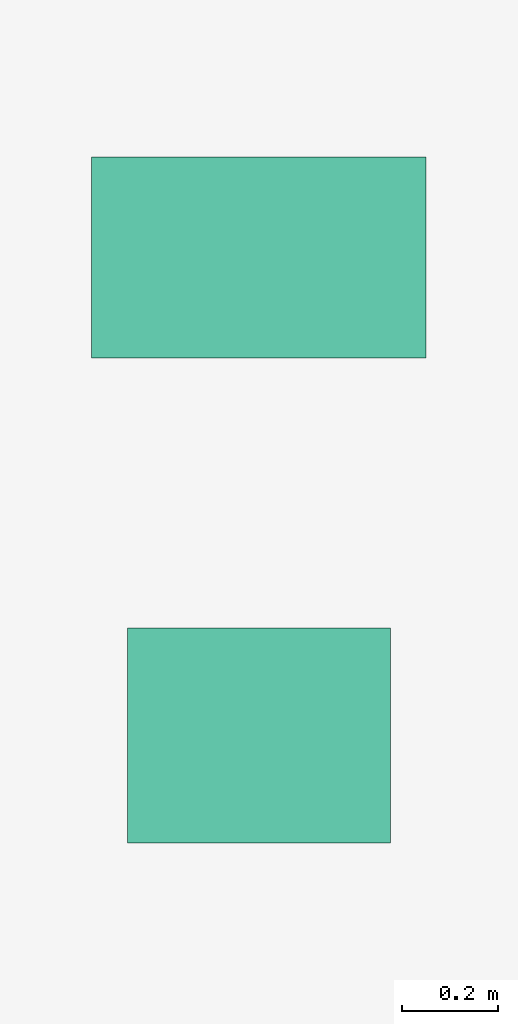
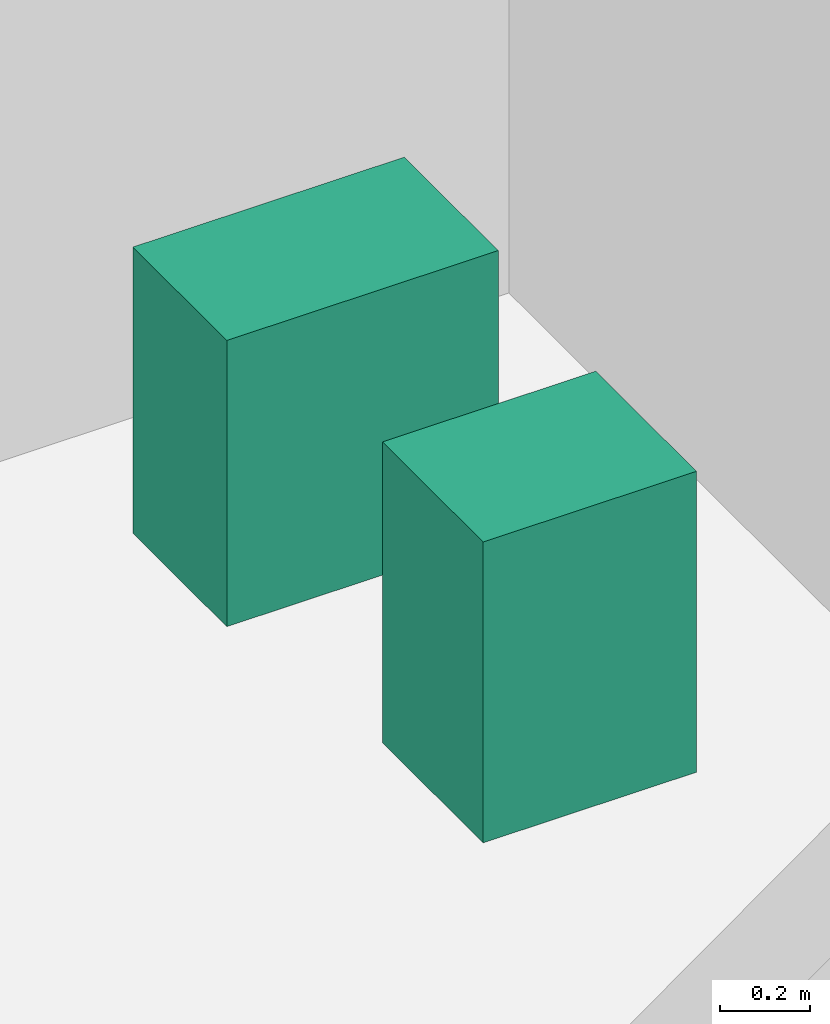
# One storey, part 27 of 27: 2 sanitary terminals.
"""IFC4 building model written with IfcOpenShell, lengths in metres."""

from ifc_helpers import new_model, si_unit, direction, frame, origin, origin_2d, place, context, subcontext, project, spatial, rectangle, extrude, source, transform, mapped, material, type_object, element, save


model = new_model("IFC4")

# Units and contexts
model_context = context("Model", 3, precision=1e-05, world=origin(), true_north=direction((0.0, 1.0)))
body_context = subcontext(model_context, "Body", "Model", "MODEL_VIEW")
ifc_project = project(units=[si_unit("LENGTHUNIT", "METRE"), si_unit("AREAUNIT", "SQUARE_METRE"), si_unit("VOLUMEUNIT", "CUBIC_METRE"), si_unit("PLANEANGLEUNIT", "RADIAN"), si_unit("MASSUNIT", "GRAM", prefix="KILO")], contexts=[model_context])

# Site, building, storey
site_placement = place(None, origin())
site = spatial("IfcSite", under=ifc_project, at=site_placement, CompositionType="ELEMENT")
building_placement = place(site_placement, origin())
building = spatial("IfcBuilding", under=site, at=building_placement, Name="Sumidabori Civic Tower", CompositionType="ELEMENT")
storey_placement = place(building_placement, frame((0.0, 0.0, 142.39990234375)))
storey = spatial("IfcBuildingStorey", under=building, at=storey_placement, Name="L36", CompositionType="ELEMENT", Elevation=142.39990234375)

# Sanitary terminals
ifc_material = material(Name="Vitreous Sanitary Porcelain")
sanitary_terminal_type_1 = type_object("IfcSanitaryTerminalType", Name="SN-WC-1", PredefinedType="TOILETPAN", material=ifc_material)
shared_shape_1 = source(origin(), body_context, "Body", "SweptSolid", [
    extrude(rectangle(XDim=0.699951171875, YDim=0.419921875, at=origin_2d()), origin(), (0.0, 0.0, 1.0), 0.780029296875),
])
sanitary_terminal_1_placement = place(storey_placement, frame((10.800048828125, 21.85009765625, 0.0), z_axis=(0.0, 0.0, 1.0), x_axis=(1.0, 0.0, 0.0)))
element("IfcSanitaryTerminal", 1, at=sanitary_terminal_1_placement, inside=storey, type_object=sanitary_terminal_type_1, Name="Accessible WC Pan L36", PredefinedType="TOILETPAN", context=body_context, shape_type="MappedRepresentation", body=[
    mapped(shared_shape_1, transform((0.0, 0.0, 0.0), x_axis=(1.0, 0.0, 0.0), y_axis=(0.0, 1.0, 0.0), z_axis=(0.0, 0.0, 1.0), scale=1.0)),
])
sanitary_terminal_type_2 = type_object("IfcSanitaryTerminalType", Name="SN-BAS-1", PredefinedType="WASHHANDBASIN", material=ifc_material)
shared_shape_2 = source(origin(), body_context, "Body", "SweptSolid", [
    extrude(rectangle(XDim=0.550048828125, YDim=0.449951171875, at=origin_2d()), origin(), (0.0, 0.0, 1.0), 0.820068359375),
])
sanitary_terminal_2_placement = place(storey_placement, frame((10.800048828125, 20.85009765625, 0.0), z_axis=(0.0, 0.0, 1.0), x_axis=(1.0, 0.0, 0.0)))
element("IfcSanitaryTerminal", 2, at=sanitary_terminal_2_placement, inside=storey, type_object=sanitary_terminal_type_2, Name="Accessible Basin L36", PredefinedType="WASHHANDBASIN", context=body_context, shape_type="MappedRepresentation", body=[
    mapped(shared_shape_2, transform((0.0, 0.0, 0.0), x_axis=(1.0, 0.0, 0.0), y_axis=(0.0, 1.0, 0.0), z_axis=(0.0, 0.0, 1.0), scale=1.0)),
])

save(model, "model.ifc")
